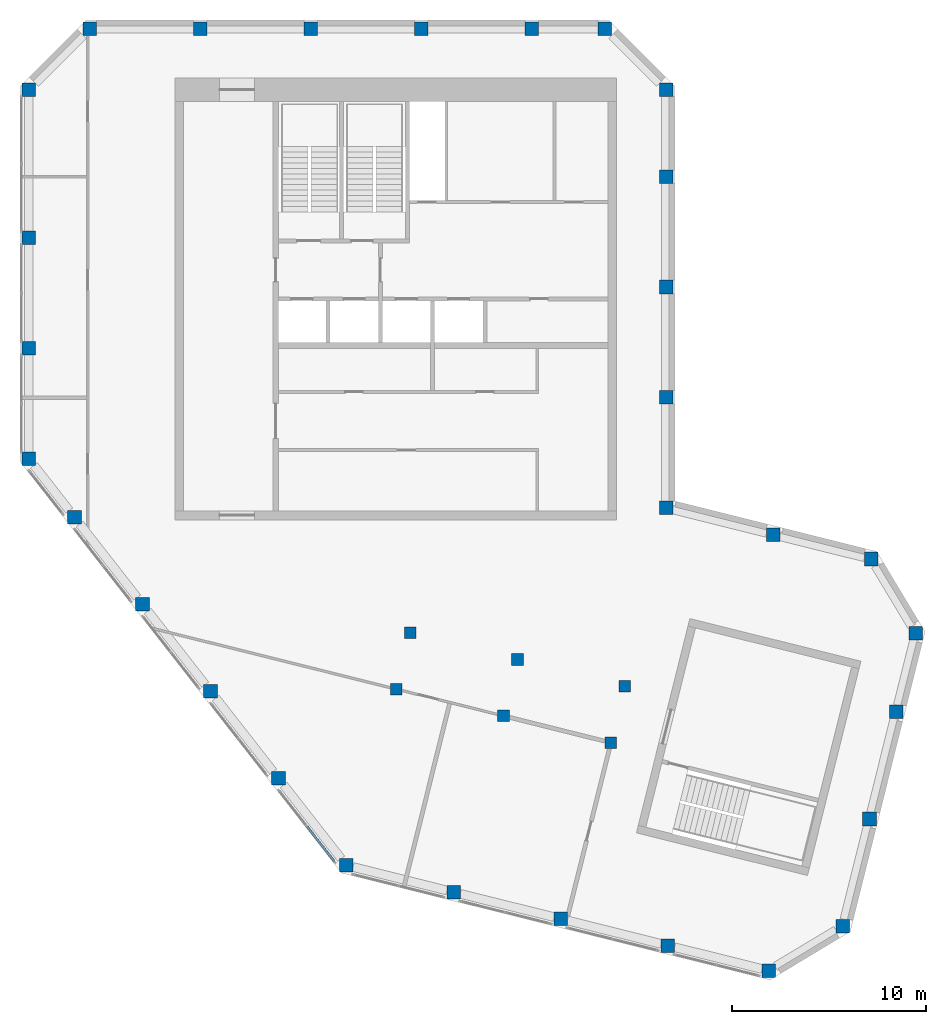
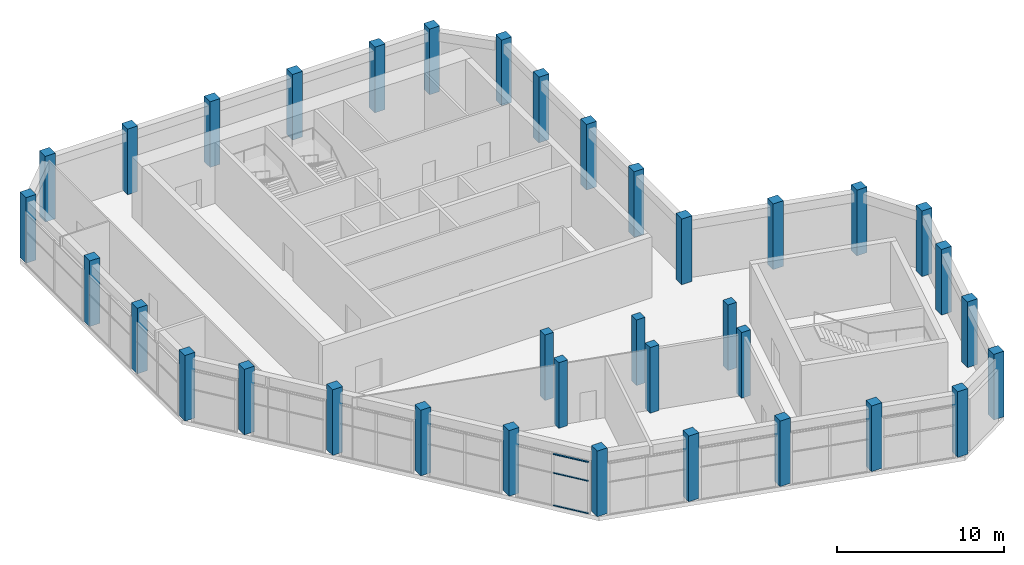
# One storey, part 1 of 10: 36 columns, 3 members, 1 element without a shape of its own.
"""IFC4 building model written with IfcOpenShell, lengths in metres."""

from ifc_helpers import new_model, si_unit, direction, frame, origin, origin_2d, place, context, subcontext, project, spatial, rectangle, extrude, material, material_profile, profile_set, type_object, element, aggregate, save


model = new_model("IFC4")

# Units and contexts
model_context = context("Model", 3, precision=1e-05, world=origin(), true_north=direction((0.0, 1.0)))
body_context = subcontext(model_context, "Body", "Model", "MODEL_VIEW")
ifc_project = project(units=[si_unit("LENGTHUNIT", "METRE"), si_unit("AREAUNIT", "SQUARE_METRE"), si_unit("VOLUMEUNIT", "CUBIC_METRE"), si_unit("PLANEANGLEUNIT", "RADIAN"), si_unit("MASSUNIT", "GRAM", prefix="KILO")], contexts=[model_context])

# Site, building, storey
site_placement = place(None, origin())
site = spatial("IfcSite", under=ifc_project, at=site_placement, CompositionType="ELEMENT")
building_placement = place(site_placement, origin())
building = spatial("IfcBuilding", under=site, at=building_placement, Name="Meshkara Civic Tower", CompositionType="ELEMENT")
storey_placement = place(building_placement, frame((0.0, 0.0, 424.199951171875)))
storey = spatial("IfcBuildingStorey", under=building, at=storey_placement, Name="L97 Crown", CompositionType="ELEMENT", Elevation=424.199951171875)

# Columns
ifc_material_1 = material(Name="Concrete C50", Category="concrete")
ifc_material_profile_1 = material_profile(ifc_material_1, rectangle(XDim=0.60009765625, YDim=0.60009765625, at=origin_2d()))
ifc_profile_set_1 = profile_set([ifc_material_profile_1], Name="Concrete C50")
column_type_1 = type_object("IfcColumnType", Name="Interior column RC 600x600 C50", PredefinedType="COLUMN", material=ifc_profile_set_1)
for number, where, z_axis, x_axis, name in (
    (1, (19.424072265625, 5.360107421875, 0.0), (0.0, 0.0, 1.0), (1.0, 0.0, 0.0), "Column SB1-00 L97 Crown"),
    (2, (24.9541015625, 3.98095703125, 0.0), (0.0, 0.0, 1.0), (1.0, 0.0, 0.0), "Column SB1-01 L97 Crown"),
    (3, (30.485107421875, 2.60205078125, 0.0), (0.0, 0.0, 1.0), (1.0, 0.0, 0.0), "Column SB1-02 L97 Crown"),
    (4, (20.14892578125, 8.27099609375, 0.0), (0.0, 0.0, 1.0), (1.0, 0.0, 0.0), "Column SB2-00 L97 Crown"),
    (5, (25.679931640625, 6.89208984375, 0.0), (0.0, 0.0, 1.0), (1.0, 0.0, 0.0), "Column SB2-01 L97 Crown"),
    (6, (31.2109375, 5.512939453125, 0.0), (0.0, 0.0, 1.0), (1.0, 0.0, 0.0), "Column SB2-02 L97 Crown"),
):
    element("IfcColumn", number, at=place(storey_placement, frame(where, z_axis=z_axis, x_axis=x_axis)), inside=storey, type_object=column_type_1, Name=name, PredefinedType="COLUMN", context=body_context, shape_type="SweptSolid", body=[
        extrude(rectangle(XDim=0.60009765625, YDim=0.60009765625, at=origin_2d()), origin(), (0.0, 0.0, 1.0), 4.800048828125),
    ])
ifc_material_2 = material(Name="Concrete C50", Category="concrete")
ifc_material_profile_2 = material_profile(ifc_material_2, rectangle(XDim=0.699951171875, YDim=0.699951171875, at=origin_2d()))
ifc_profile_set_2 = profile_set([ifc_material_profile_2], Name="Concrete C50")
column_type_2 = type_object("IfcColumnType", Name="Perimeter column RC 700x700 C50", PredefinedType="COLUMN", material=ifc_profile_set_2)
for number, where, z_axis, x_axis, name in (
    (7, (33.35009765625, 14.718994140625, 0.0), (0.0, 0.0, 1.0), (1.0, 0.0, 0.0), "Column HE00 L97 Crown"),
    (8, (33.35009765625, 20.4189453125, 0.0), (0.0, 0.0, 1.0), (1.0, 0.0, 0.0), "Column HE01 L97 Crown"),
    (9, (33.35009765625, 26.118896484375, 0.0), (0.0, 0.0, 1.0), (1.0, 0.0, 0.0), "Column HE02 L97 Crown"),
    (10, (33.35009765625, 31.819091796875, 0.0), (0.0, 0.0, 1.0), (1.0, 0.0, 0.0), "Column HE03 L97 Crown"),
    (11, (33.35009765625, 36.2939453125, 0.0), (0.0, 0.0, 1.0), (1.0, 0.0, 0.0), "Column HEE L97 Crown"),
    (12, (30.194091796875, 39.449951171875, 0.0), (0.0, 0.0, 1.0), (1.0, 0.0, 0.0), "Column HCeE L97 Crown"),
    (13, (3.60595703125, 39.449951171875, 0.0), (0.0, 0.0, 1.0), (1.0, 0.0, 0.0), "Column HN00-P8 L97 Crown"),
    (14, (9.305908203125, 39.449951171875, 0.0), (0.0, 0.0, 1.0), (1.0, 0.0, 0.0), "Column HN01 L97 Crown"),
    (15, (15.006103515625, 39.449951171875, 0.0), (0.0, 0.0, 1.0), (1.0, 0.0, 0.0), "Column HN02 L97 Crown"),
    (16, (20.7060546875, 39.449951171875, 0.0), (0.0, 0.0, 1.0), (1.0, 0.0, 0.0), "Column HN03 L97 Crown"),
    (17, (26.406005859375, 39.449951171875, 0.0), (0.0, 0.0, 1.0), (1.0, 0.0, 0.0), "Column HN04 L97 Crown"),
    (18, (0.449951171875, 36.2939453125, 0.0), (0.0, 0.0, 1.0), (1.0, 0.0, 0.0), "Column HCw00 L97 Crown"),
    (19, (0.449951171875, 17.2548828125, 0.0), (0.0, 0.0, 1.0), (1.0, 0.0, 0.0), "Column AW00 L97 Crown"),
    (20, (0.449951171875, 22.955078125, 0.0), (0.0, 0.0, 1.0), (1.0, 0.0, 0.0), "Column AW01 L97 Crown"),
    (21, (0.449951171875, 28.655029296875, 0.0), (0.0, 0.0, 1.0), (1.0, 0.0, 0.0), "Column AW02 L97 Crown"),
    (22, (16.85107421875, -3.738037109375, 0.0), (0.0, 0.0, 1.0), (1.0, 0.0, 0.0), "Column BOW00 L97 Crown"),
    (23, (13.342041015625, 0.75390625, 0.0), (0.0, 0.0, 1.0), (1.0, 0.0, 0.0), "Column BOW01 L97 Crown"),
    (24, (9.8330078125, 5.2451171875, 0.0), (0.0, 0.0, 1.0), (1.0, 0.0, 0.0), "Column BOW02 L97 Crown"),
    (25, (6.322998046875, 9.737060546875, 0.0), (0.0, 0.0, 1.0), (1.0, 0.0, 0.0), "Column BOW03 L97 Crown"),
    (26, (2.81396484375, 14.22900390625, 0.0), (0.0, 0.0, 1.0), (1.0, 0.0, 0.0), "Column BOW04 L97 Crown"),
    (27, (22.382080078125, -5.116943359375, 0.0), (0.0, 0.0, 1.0), (1.0, 0.0, 0.0), "Column BS01 L97 Crown"),
    (28, (27.912109375, -6.49609375, 0.0), (0.0, 0.0, 1.0), (1.0, 0.0, 0.0), "Column BS02 L97 Crown"),
    (29, (33.443115234375, -7.875, 0.0), (0.0, 0.0, 1.0), (1.0, 0.0, 0.0), "Column BS03 L97 Crown"),
    (30, (38.64306640625, -9.1708984375, 0.0), (0.0, 0.0, 1.0), (1.0, 0.0, 0.0), "Column BSEP8 L97 Crown"),
    (31, (42.468994140625, -6.8720703125, 0.0), (0.0, 0.0, 1.0), (1.0, 0.0, 0.0), "Column BToEP8 L97 Crown"),
    (32, (43.847900390625, -1.341064453125, 0.0), (0.0, 0.0, 1.0), (1.0, 0.0, 0.0), "Column BT01-P8 L97 Crown"),
    (33, (45.22705078125, 4.18896484375, 0.0), (0.0, 0.0, 1.0), (1.0, 0.0, 0.0), "Column BT02-P8 L97 Crown"),
    (34, (46.239990234375, 8.251953125, 0.0), (0.0, 0.0, 1.0), (1.0, 0.0, 0.0), "Column BTEP8 L97 Crown"),
    (35, (43.94091796875, 12.077880859375, 0.0), (0.0, 0.0, 1.0), (1.0, 0.0, 0.0), "Column BTi00-P8 L97 Crown"),
    (36, (38.881103515625, 13.340087890625, 0.0), (0.0, 0.0, 1.0), (1.0, 0.0, 0.0), "Column BN01 L97 Crown"),
):
    element("IfcColumn", number, at=place(storey_placement, frame(where, z_axis=z_axis, x_axis=x_axis)), inside=storey, type_object=column_type_2, Name=name, PredefinedType="COLUMN", context=body_context, shape_type="SweptSolid", body=[
        extrude(rectangle(XDim=0.699951171875, YDim=0.699951171875, at=origin_2d()), origin(), (0.0, 0.0, 1.0), 4.800048828125),
    ])

# Curtain wall, members
ifc_material_3 = material(Name="Tinted double glazing", Category="glass")
curtain_wall_type = type_object("IfcCurtainWallType", Name="CW CROWN LANTERN", PredefinedType="NOTDEFINED", material=ifc_material_3)
curtain_wall_placement = place(storey_placement, origin())
curtain_wall = element("IfcCurtainWall", 37, at=curtain_wall_placement, inside=storey, type_object=curtain_wall_type, Name="Curtain wall CW3", PredefinedType="NOTDEFINED")
ifc_material_4 = material(Name="Bronze anodised aluminium", Category="aluminium")
ifc_material_profile_3 = material_profile(ifc_material_4, rectangle(XDim=0.1201171875, YDim=0.06005859375, at=origin_2d()))
ifc_profile_set_3 = profile_set([ifc_material_profile_3], Name="Bronze anodised aluminium")
member_type = type_object("IfcMemberType", Name="CW TRANSOM 60x120", PredefinedType="USERDEFINED", material=ifc_profile_set_3)
member_1_placement = place(storey_placement, frame((14.823486328125, -1.7431640625, 0.030029296875), z_axis=(0.615623156094, -0.788040690371, 0.0), x_axis=(0.788040690371, 0.615623156094, 0.0)))
member_1 = element("IfcMember", 38, at=member_1_placement, type_object=member_type, Name="CW3 transom 2.1", ObjectType="TRANSOM", PredefinedType="USERDEFINED", context=body_context, shape_type="SweptSolid", body=[
    extrude(rectangle(XDim=0.1201171875, YDim=0.06005859375, at=origin_2d()), origin(), (0.0, 0.0, 1.0), 2.268310546875),
])
member_2_placement = place(storey_placement, frame((14.823486328125, -1.7431640625, 2.400146484375), z_axis=(0.615623156094, -0.788040690371, 0.0), x_axis=(0.788040690371, 0.615623156094, 0.0)))
member_2 = element("IfcMember", 39, at=member_2_placement, type_object=member_type, Name="CW3 transom 2.2", ObjectType="TRANSOM", PredefinedType="USERDEFINED", context=body_context, shape_type="SweptSolid", body=[
    extrude(rectangle(XDim=0.1201171875, YDim=0.06005859375, at=origin_2d()), origin(), (0.0, 0.0, 1.0), 2.268310546875),
])
member_3_placement = place(storey_placement, frame((14.823486328125, -1.7431640625, 3.77001953125), z_axis=(0.615623156094, -0.788040690371, 0.0), x_axis=(0.788040690371, 0.615623156094, 0.0)))
member_3 = element("IfcMember", 40, at=member_3_placement, type_object=member_type, Name="CW3 transom 2.3", ObjectType="TRANSOM", PredefinedType="USERDEFINED", context=body_context, shape_type="SweptSolid", body=[
    extrude(rectangle(XDim=0.1201171875, YDim=0.06005859375, at=origin_2d()), origin(), (0.0, 0.0, 1.0), 2.268310546875),
])
aggregate(curtain_wall, [member_1, member_2, member_3])

save(model, "model.ifc")
